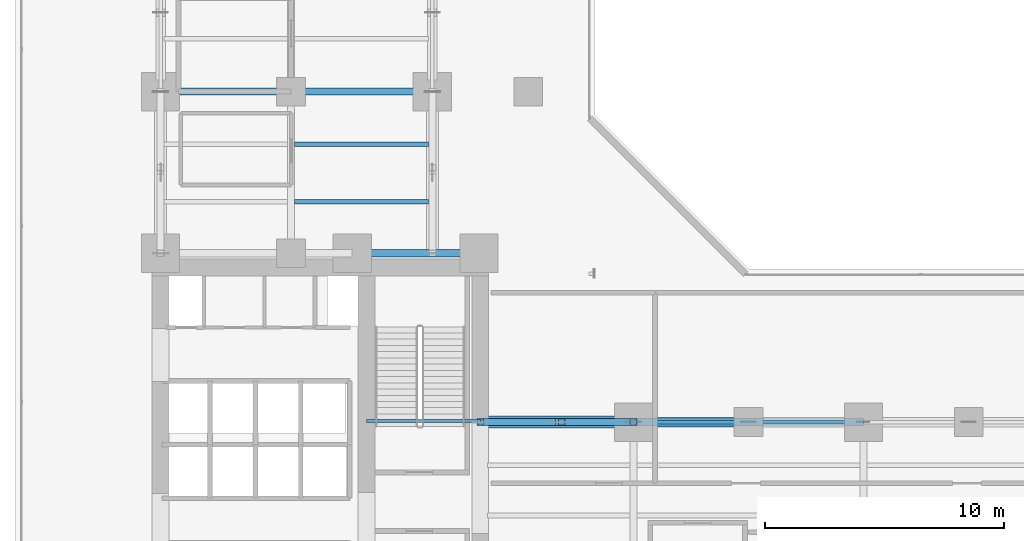
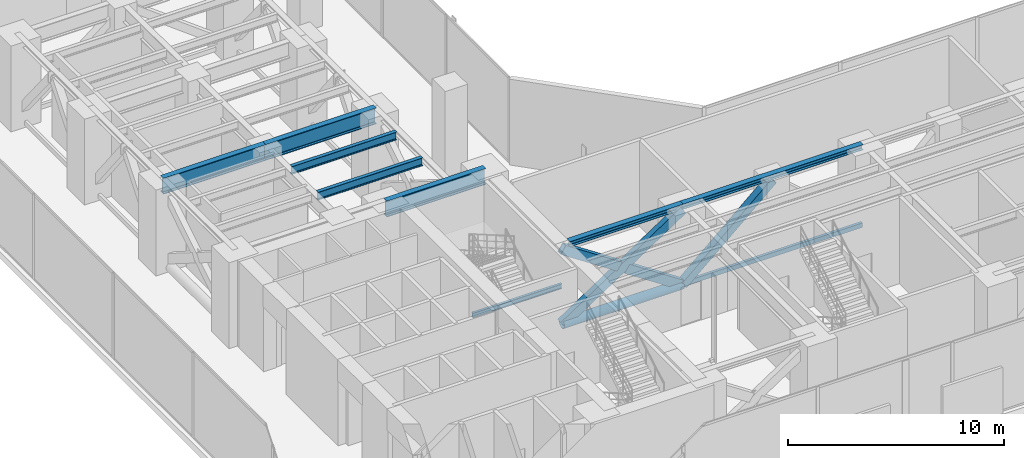
# One storey, part 10 of 36: 8 beams, 6 members.
"""IFC4 building model written with IfcOpenShell, lengths in metres."""

from ifc_helpers import new_model, si_unit, direction, frame, origin, origin_2d, place, context, subcontext, project, spatial, hollow_rectangle, hollow_circle, i_section, extrude, material, material_profile, profile_set, type_object, element, save


model = new_model("IFC4")

# Units and contexts
model_context = context("Model", 3, precision=1e-05, world=origin(), true_north=direction((0.0, 1.0)))
body_context = subcontext(model_context, "Body", "Model", "MODEL_VIEW")
ifc_project = project(units=[si_unit("LENGTHUNIT", "METRE"), si_unit("AREAUNIT", "SQUARE_METRE"), si_unit("VOLUMEUNIT", "CUBIC_METRE"), si_unit("PLANEANGLEUNIT", "RADIAN"), si_unit("MASSUNIT", "GRAM", prefix="KILO")], contexts=[model_context])

# Site, building, storey
site_placement = place(None, origin())
site = spatial("IfcSite", under=ifc_project, at=site_placement, CompositionType="ELEMENT")
building_placement = place(site_placement, origin())
building = spatial("IfcBuilding", under=site, at=building_placement, Name="Kolvaren Waterfront Exchange", CompositionType="ELEMENT")
storey_placement = place(building_placement, frame((0.0, 0.0, 82.800048828125)))
storey = spatial("IfcBuildingStorey", under=building, at=storey_placement, Name="L21", CompositionType="ELEMENT", Elevation=82.800048828125)

# Beams
ifc_material_1 = material(Name="Steel S355", Category="steel")
ifc_material_profile_1 = material_profile(ifc_material_1, i_section(OverallWidth=0.300048828125, OverallDepth=0.300048828125, WebThickness=0.010986328125, FlangeThickness=0.01904296875, FilletRadius=0.027099609375, at=origin_2d()), Name="HEB300")
ifc_profile_set_1 = profile_set([ifc_material_profile_1], Name="Steel S355")
beam_type_1 = type_object("IfcBeamType", Name="STR-BM-HEB300", PredefinedType="SPANDREL", material=ifc_profile_set_1)
beam_1_placement = place(storey_placement, frame((21.14990234375, 17.39990234375, 4.68994140625), z_axis=(1.0, 0.0, 0.0), x_axis=(0.0, 1.0, 0.0)))
element("IfcBeam", 1, at=beam_1_placement, inside=storey, type_object=beam_type_1, Name="L21 east-arm spandrel N1", PredefinedType="SPANDREL", context=body_context, shape_type="SweptSolid", body=[
    extrude(i_section(OverallWidth=0.300048828125, OverallDepth=0.300048828125, WebThickness=0.010986328125, FlangeThickness=0.01904296875, FilletRadius=0.027099609375, at=origin_2d()), origin(), (0.0, 0.0, 1.0), 6.050048828125),
])
beam_2_placement = place(storey_placement, frame((27.199951171875, 17.39990234375, 4.68994140625), z_axis=(1.0, 0.0, 0.0), x_axis=(0.0, 1.0, 0.0)))
element("IfcBeam", 2, at=beam_2_placement, inside=storey, type_object=beam_type_1, Name="L21 east-arm spandrel N2", PredefinedType="SPANDREL", context=body_context, shape_type="SweptSolid", body=[
    extrude(i_section(OverallWidth=0.300048828125, OverallDepth=0.300048828125, WebThickness=0.010986328125, FlangeThickness=0.01904296875, FilletRadius=0.027099609375, at=origin_2d()), origin(), (0.0, 0.0, 1.0), 9.60009765625),
])
ifc_material_profile_2 = material_profile(ifc_material_1, i_section(OverallWidth=0.300048828125, OverallDepth=0.89990234375, WebThickness=0.0185546875, FlangeThickness=0.034912109375, FilletRadius=0.030029296875, at=origin_2d()), Name="HEB900")
ifc_profile_set_2 = profile_set([ifc_material_profile_2], Name="Steel S355")
beam_type_2 = type_object("IfcBeamType", Name="STR-BM-HEB900", PredefinedType="BEAM", material=ifc_profile_set_2)
beam_3_placement = place(storey_placement, frame((15.449951171875, 24.449951171875, 4.389892578125), z_axis=(1.0, 0.0, 0.0), x_axis=(0.0, 1.0, 0.0)))
element("IfcBeam", 3, at=beam_3_placement, inside=storey, type_object=beam_type_2, Name="L21 north-arm girder 1C", PredefinedType="BEAM", context=body_context, shape_type="SweptSolid", body=[
    extrude(i_section(OverallWidth=0.300048828125, OverallDepth=0.89990234375, WebThickness=0.0185546875, FlangeThickness=0.034912109375, FilletRadius=0.030029296875, at=origin_2d()), origin(), (0.0, 0.0, 1.0), 5.300048828125),
])
beam_4_placement = place(storey_placement, frame((7.449951171875, 31.199951171875, 4.389892578125), z_axis=(1.0, 0.0, 0.0), x_axis=(0.0, 1.0, 0.0)))
element("IfcBeam", 4, at=beam_4_placement, inside=storey, type_object=beam_type_2, Name="L21 north-arm girder 2A", PredefinedType="BEAM", context=body_context, shape_type="SweptSolid", body=[
    extrude(i_section(OverallWidth=0.300048828125, OverallDepth=0.89990234375, WebThickness=0.0185546875, FlangeThickness=0.034912109375, FilletRadius=0.030029296875, at=origin_2d()), origin(), (0.0, 0.0, 1.0), 5.449951171875),
])
beam_5_placement = place(storey_placement, frame((12.89990234375, 31.199951171875, 4.389892578125), z_axis=(1.0, 0.0, 0.0), x_axis=(0.0, 1.0, 0.0)))
element("IfcBeam", 5, at=beam_5_placement, inside=storey, type_object=beam_type_2, Name="L21 north-arm girder 2B", PredefinedType="BEAM", context=body_context, shape_type="SweptSolid", body=[
    extrude(i_section(OverallWidth=0.300048828125, OverallDepth=0.89990234375, WebThickness=0.0185546875, FlangeThickness=0.034912109375, FilletRadius=0.030029296875, at=origin_2d()), origin(), (0.0, 0.0, 1.0), 5.900146484375),
])
ifc_material_profile_3 = material_profile(ifc_material_1, i_section(OverallWidth=0.135009765625, OverallDepth=0.27001953125, WebThickness=0.006591796875, FlangeThickness=0.01025390625, FilletRadius=0.014892578125, at=origin_2d()), Name="IPE270")
ifc_profile_set_3 = profile_set([ifc_material_profile_3], Name="Steel S355")
beam_type_3 = type_object("IfcBeamType", Name="STR-BM-IPE270", PredefinedType="LINTEL", material=ifc_profile_set_3)
beam_6_placement = place(storey_placement, frame((16.050048828125, 17.449951171875, 2.364990234375), z_axis=(1.0, 0.0, 0.0), x_axis=(0.0, 1.0, 0.0)))
element("IfcBeam", 6, at=beam_6_placement, inside=storey, type_object=beam_type_3, Name="L21 core stair header lintel", PredefinedType="LINTEL", context=body_context, shape_type="SweptSolid", body=[
    extrude(i_section(OverallWidth=0.135009765625, OverallDepth=0.27001953125, WebThickness=0.006591796875, FlangeThickness=0.01025390625, FilletRadius=0.014892578125, at=origin_2d()), origin(), (0.0, 0.0, 1.0), 4.75),
])
ifc_material_profile_4 = material_profile(ifc_material_1, i_section(OverallWidth=0.18994140625, OverallDepth=0.449951171875, WebThickness=0.009521484375, FlangeThickness=0.0146484375, FilletRadius=0.02099609375, at=origin_2d()), Name="IPE450")
ifc_profile_set_4 = profile_set([ifc_material_profile_4], Name="Steel S355")
beam_type_4 = type_object("IfcBeamType", Name="STR-BM-IPE450", PredefinedType="JOIST", material=ifc_profile_set_4)
for number, where, z_axis, x_axis, name in (
    (7, (13.052001953125, 26.60009765625, 4.614990234375), (1.0, 0.0, 0.0), (0.0, 1.0, 0.0), "L21 north-arm composite joist 1B"),
    (8, (13.052001953125, 29.0, 4.614990234375), (1.0, 0.0, 0.0), (0.0, 1.0, 0.0), "L21 north-arm composite joist 2B"),
):
    element("IfcBeam", number, at=place(storey_placement, frame(where, z_axis=z_axis, x_axis=x_axis)), inside=storey, type_object=beam_type_4, Name=name, PredefinedType="JOIST", context=body_context, shape_type="SweptSolid", body=[
        extrude(i_section(OverallWidth=0.18994140625, OverallDepth=0.449951171875, WebThickness=0.009521484375, FlangeThickness=0.0146484375, FilletRadius=0.02099609375, at=origin_2d()), origin(), (0.0, 0.0, 1.0), 5.595947265625),
    ])

# Members
ifc_material_2 = material(Name="Steel S460", Category="steel")
ifc_material_profile_5 = material_profile(ifc_material_2, hollow_circle(Radius=0.25390625, WallThickness=0.02001953125, at=origin_2d()), Name="CHS508x20")
ifc_profile_set_5 = profile_set([ifc_material_profile_5], Name="Steel S460")
member_type_1 = type_object("IfcMemberType", Name="STR-BR-CHS508", PredefinedType="CHORD", material=ifc_profile_set_5)
member_1_placement = place(storey_placement, frame((20.800048828125, 17.39990234375, 0.25), z_axis=(1.0, 0.0, 0.0), x_axis=(0.0, 1.0, 0.0)))
element("IfcMember", 9, at=member_1_placement, inside=storey, type_object=member_type_1, Name="L21 outrigger bottom chord OA2", PredefinedType="CHORD", context=body_context, shape_type="SweptSolid", body=[
    extrude(hollow_circle(Radius=0.25390625, WallThickness=0.02001953125, at=origin_2d()), origin(), (0.0, 0.0, 1.0), 6.39990234375),
])
ifc_material_profile_6 = material_profile(ifc_material_2, hollow_rectangle(XDim=0.14990234375, YDim=0.25, WallThickness=0.010009765625, at=origin_2d()), Name="RHS250x150x10")
ifc_profile_set_6 = profile_set([ifc_material_profile_6], Name="Steel S460")
member_type_2 = type_object("IfcMemberType", Name="STR-BR-RHS250", PredefinedType="CHORD", material=ifc_profile_set_6)
member_2_placement = place(storey_placement, frame((27.199951171875, 17.39990234375, 0.25), z_axis=(1.0, 0.0, 0.0), x_axis=(0.0, 1.0, 0.0)))
element("IfcMember", 10, at=member_2_placement, inside=storey, type_object=member_type_2, Name="L21 belt-truss bottom chord BT1", PredefinedType="CHORD", context=body_context, shape_type="SweptSolid", body=[
    extrude(hollow_rectangle(XDim=0.14990234375, YDim=0.25, WallThickness=0.010009765625, at=origin_2d()), origin(), (0.0, 0.0, 1.0), 9.60009765625),
])
ifc_material_profile_7 = material_profile(ifc_material_2, hollow_rectangle(XDim=0.300048828125, YDim=0.5, WallThickness=0.02001953125, at=origin_2d()), Name="RHS500x300x20")
ifc_profile_set_7 = profile_set([ifc_material_profile_7], Name="Steel S460")
member_type_3 = type_object("IfcMemberType", Name="STR-BR-RHS500", PredefinedType="BRACE", material=ifc_profile_set_7)
member_3_placement = place(storey_placement, frame((20.800048828125, 17.39990234375, 0.25), z_axis=(0.833646697843, 0.0, 0.552298092677), x_axis=(0.0, 1.0, 0.0)))
element("IfcMember", 11, at=member_3_placement, inside=storey, type_object=member_type_3, Name="L21 outrigger diagonal OA2.1", PredefinedType="BRACE", context=body_context, shape_type="SweptSolid", body=[
    extrude(hollow_rectangle(XDim=0.300048828125, YDim=0.5, WallThickness=0.02001953125, at=origin_2d()), origin(), (0.0, 0.0, 1.0), 7.677001953125),
])
for number, where, z_axis, x_axis, name in (
    (12, (27.199951171875, 17.39990234375, 0.25), (-0.833654287623, 0.0, 0.552286636384), (0.0, -1.0, 0.0), "L21 outrigger split diagonal OA2.2A"),
    (13, (23.7998046875, 17.39990234375, 2.50244140625), (-0.833623048925, 0.0, 0.552333787035), (0.0, -1.0, 0.0), "L21 outrigger split diagonal OA2.2B"),
):
    element("IfcMember", number, at=place(storey_placement, frame(where, z_axis=z_axis, x_axis=x_axis)), inside=storey, type_object=member_type_3, Name=name, PredefinedType="BRACE", context=body_context, shape_type="SweptSolid", body=[
        extrude(hollow_rectangle(XDim=0.300048828125, YDim=0.5, WallThickness=0.02001953125, at=origin_2d()), origin(), (0.0, 0.0, 1.0), 3.598388671875),
    ])
ifc_material_profile_8 = material_profile(ifc_material_2, hollow_rectangle(XDim=0.39990234375, YDim=0.39990234375, WallThickness=0.02001953125, at=origin_2d()), Name="SHS400x400x20")
ifc_profile_set_8 = profile_set([ifc_material_profile_8], Name="Steel S460")
member_type_4 = type_object("IfcMemberType", Name="STR-BR-SHS400", PredefinedType="BRACE", material=ifc_profile_set_8)
member_4_placement = place(storey_placement, frame((27.199951171875, 17.39990234375, 0.25), z_axis=(0.749477309861, 0.0, 0.662030031044), x_axis=(0.0, 1.0, 0.0)))
element("IfcMember", 14, at=member_4_placement, inside=storey, type_object=member_type_4, Name="L21 belt-truss chevron brace BT1L", PredefinedType="BRACE", context=body_context, shape_type="SweptSolid", body=[
    extrude(hollow_rectangle(XDim=0.39990234375, YDim=0.39990234375, WallThickness=0.02001953125, at=origin_2d()), origin(), (0.0, 0.0, 1.0), 6.404541015625),
])

save(model, "model.ifc")
